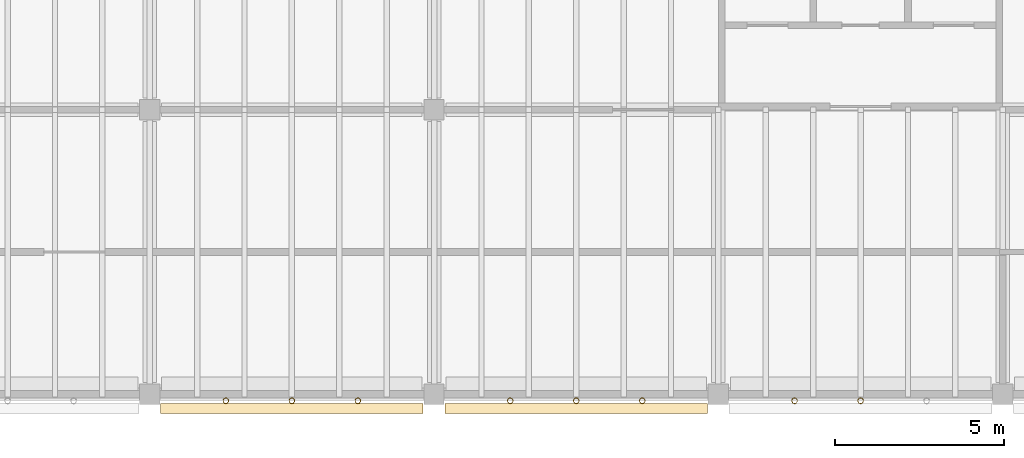
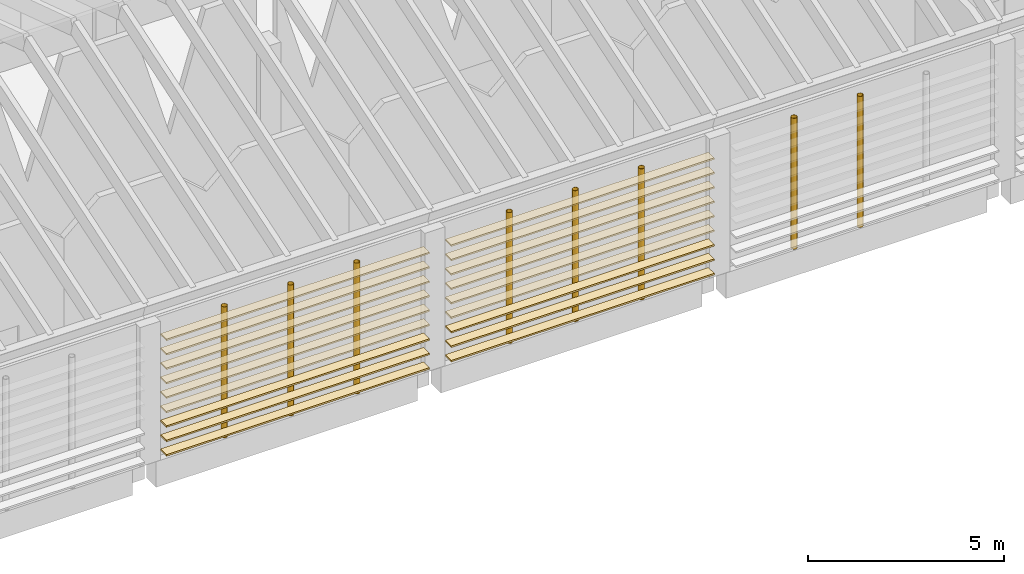
# One storey, part 40 of 59: 18 coverings, 8 shading devices.
"""IFC4 building model written with IfcOpenShell, lengths in metres."""

from ifc_helpers import new_model, si_unit, direction, frame, origin, origin_2d, place, context, subcontext, project, spatial, rectangle, hollow_circle, extrude, material, material_profile, profile_set, type_object, element, save


model = new_model("IFC4")

# Units and contexts
model_context = context("Model", 3, precision=1e-05, world=origin(), true_north=direction((0.0, 1.0)))
body_context = subcontext(model_context, "Body", "Model", "MODEL_VIEW")
ifc_project = project(units=[si_unit("LENGTHUNIT", "METRE"), si_unit("AREAUNIT", "SQUARE_METRE"), si_unit("VOLUMEUNIT", "CUBIC_METRE"), si_unit("PLANEANGLEUNIT", "RADIAN"), si_unit("MASSUNIT", "GRAM", prefix="KILO")], contexts=[model_context])

# Site, building, storey
site_placement = place(None, origin())
site = spatial("IfcSite", under=ifc_project, at=site_placement, CompositionType="ELEMENT")
building_placement = place(site_placement, origin())
building = spatial("IfcBuilding", under=site, at=building_placement, Name="Almond Square Museum", CompositionType="ELEMENT")
storey_placement = place(building_placement, frame((0.0, 0.0, 25.0)))
storey = spatial("IfcBuildingStorey", under=building, at=storey_placement, Name="L04", CompositionType="ELEMENT", Elevation=25.0)

# Shading devices
ifc_material_1 = material(Name="Structural steel S355", Category="steel")
ifc_material_profile_1 = material_profile(ifc_material_1, hollow_circle(Radius=0.084228515625, WallThickness=0.008056640625, at=origin_2d()))
ifc_profile_set_1 = profile_set([ifc_material_profile_1], Name="Structural steel S355")
shading_device_type = type_object("IfcShadingDeviceType", Name="Louvre post CHS 168.3 x 8", PredefinedType="USERDEFINED", material=ifc_profile_set_1)
for number, where, z_axis, x_axis, name in (
    (1, (41.85009765625, -0.194091796875, 0.0), (0.0, 0.0, 1.0), (1.0, 0.0, 0.0), "Louvre screen post"),
    (2, (43.800048828125, -0.194091796875, 0.0), (0.0, 0.0, 1.0), (1.0, 0.0, 0.0), "Louvre screen post"),
    (3, (45.75, -0.194091796875, 0.0), (0.0, 0.0, 1.0), (1.0, 0.0, 0.0), "Louvre screen post"),
    (4, (50.25, -0.194091796875, 0.0), (0.0, 0.0, 1.0), (1.0, 0.0, 0.0), "Louvre screen post"),
    (5, (52.199951171875, -0.194091796875, 0.0), (0.0, 0.0, 1.0), (1.0, 0.0, 0.0), "Louvre screen post"),
    (6, (54.14990234375, -0.194091796875, 0.0), (0.0, 0.0, 1.0), (1.0, 0.0, 0.0), "Louvre screen post"),
    (7, (58.64990234375, -0.194091796875, 0.0), (0.0, 0.0, 1.0), (1.0, 0.0, 0.0), "Louvre screen post"),
    (8, (60.60009765625, -0.194091796875, 0.0), (0.0, 0.0, 1.0), (1.0, 0.0, 0.0), "Louvre screen post"),
):
    element("IfcShadingDevice", number, at=place(storey_placement, frame(where, z_axis=z_axis, x_axis=x_axis)), inside=storey, type_object=shading_device_type, Name=name, ObjectType="POST", PredefinedType="USERDEFINED", context=body_context, shape_type="SweptSolid", body=[
        extrude(hollow_circle(Radius=0.084228515625, WallThickness=0.008056640625, at=origin_2d()), origin(), (0.0, 0.0, 1.0), 4.08447265625),
    ])

# Coverings
ifc_material_2 = material(Name="Cedar timber louvre board", Category="wood")
ifc_material_profile_2 = material_profile(ifc_material_2, rectangle(XDim=0.300048828125, YDim=0.050048828125, at=origin_2d()))
ifc_profile_set_2 = profile_set([ifc_material_profile_2], Name="Cedar timber louvre board")
covering_type = type_object("IfcCoveringType", Name="Louvre screen board 300 x 50", PredefinedType="CLADDING", material=ifc_profile_set_2)
for number, where, z_axis, x_axis, name in (
    (9, (39.919921875, -0.42431640625, 0.300048828125), (1.0, 0.0, 0.0), (0.0, 1.0, 0.0), "Louvre screen board"),
    (10, (39.919921875, -0.42431640625, 0.75), (1.0, 0.0, 0.0), (0.0, 1.0, 0.0), "Louvre screen board"),
    (11, (39.919921875, -0.42431640625, 1.199951171875), (1.0, 0.0, 0.0), (0.0, 1.0, 0.0), "Louvre screen board"),
    (12, (39.919921875, -0.42431640625, 1.64990234375), (1.0, 0.0, 0.0), (0.0, 1.0, 0.0), "Louvre screen board"),
    (13, (39.919921875, -0.42431640625, 2.10009765625), (1.0, 0.0, 0.0), (0.0, 1.0, 0.0), "Louvre screen board"),
    (14, (39.919921875, -0.42431640625, 2.550048828125), (1.0, 0.0, 0.0), (0.0, 1.0, 0.0), "Louvre screen board"),
    (15, (39.919921875, -0.42431640625, 3.0), (1.0, 0.0, 0.0), (0.0, 1.0, 0.0), "Louvre screen board"),
    (16, (39.919921875, -0.42431640625, 3.449951171875), (1.0, 0.0, 0.0), (0.0, 1.0, 0.0), "Louvre screen board"),
    (17, (39.919921875, -0.42431640625, 3.89990234375), (1.0, 0.0, 0.0), (0.0, 1.0, 0.0), "Louvre screen board"),
    (18, (48.320068359375, -0.42431640625, 0.300048828125), (1.0, 0.0, 0.0), (0.0, 1.0, 0.0), "Louvre screen board"),
    (19, (48.320068359375, -0.42431640625, 0.75), (1.0, 0.0, 0.0), (0.0, 1.0, 0.0), "Louvre screen board"),
    (20, (48.320068359375, -0.42431640625, 1.199951171875), (1.0, 0.0, 0.0), (0.0, 1.0, 0.0), "Louvre screen board"),
    (21, (48.320068359375, -0.42431640625, 1.64990234375), (1.0, 0.0, 0.0), (0.0, 1.0, 0.0), "Louvre screen board"),
    (22, (48.320068359375, -0.42431640625, 2.10009765625), (1.0, 0.0, 0.0), (0.0, 1.0, 0.0), "Louvre screen board"),
    (23, (48.320068359375, -0.42431640625, 2.550048828125), (1.0, 0.0, 0.0), (0.0, 1.0, 0.0), "Louvre screen board"),
    (24, (48.320068359375, -0.42431640625, 3.0), (1.0, 0.0, 0.0), (0.0, 1.0, 0.0), "Louvre screen board"),
    (25, (48.320068359375, -0.42431640625, 3.449951171875), (1.0, 0.0, 0.0), (0.0, 1.0, 0.0), "Louvre screen board"),
    (26, (48.320068359375, -0.42431640625, 3.89990234375), (1.0, 0.0, 0.0), (0.0, 1.0, 0.0), "Louvre screen board"),
):
    element("IfcCovering", number, at=place(storey_placement, frame(where, z_axis=z_axis, x_axis=x_axis)), inside=storey, type_object=covering_type, Name=name, PredefinedType="CLADDING", context=body_context, shape_type="SweptSolid", body=[
        extrude(rectangle(XDim=0.300048828125, YDim=0.050048828125, at=origin_2d()), origin(), (0.0, 0.0, 1.0), 7.760009765625),
    ])

save(model, "model.ifc")
